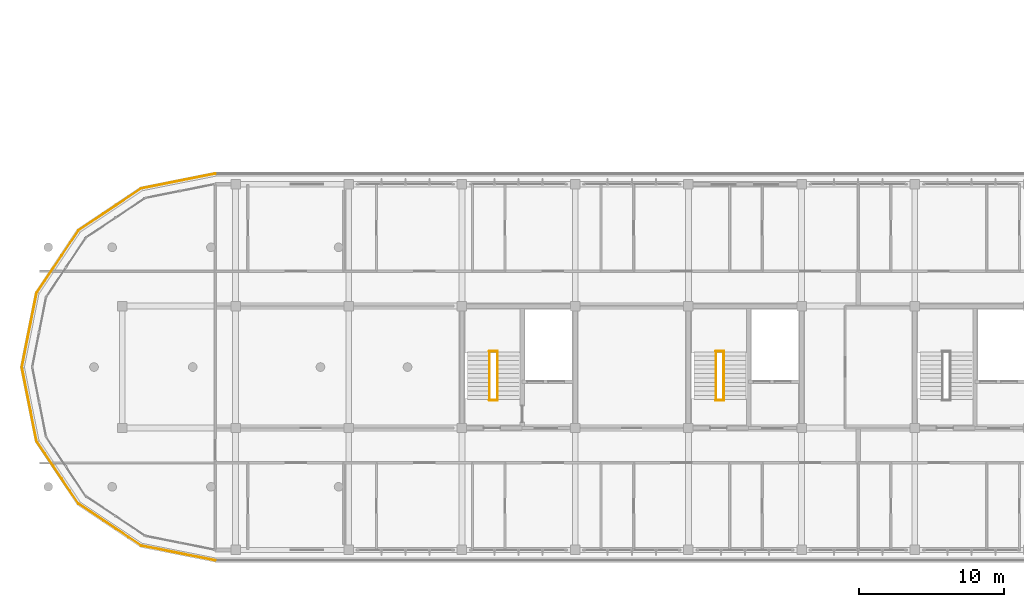
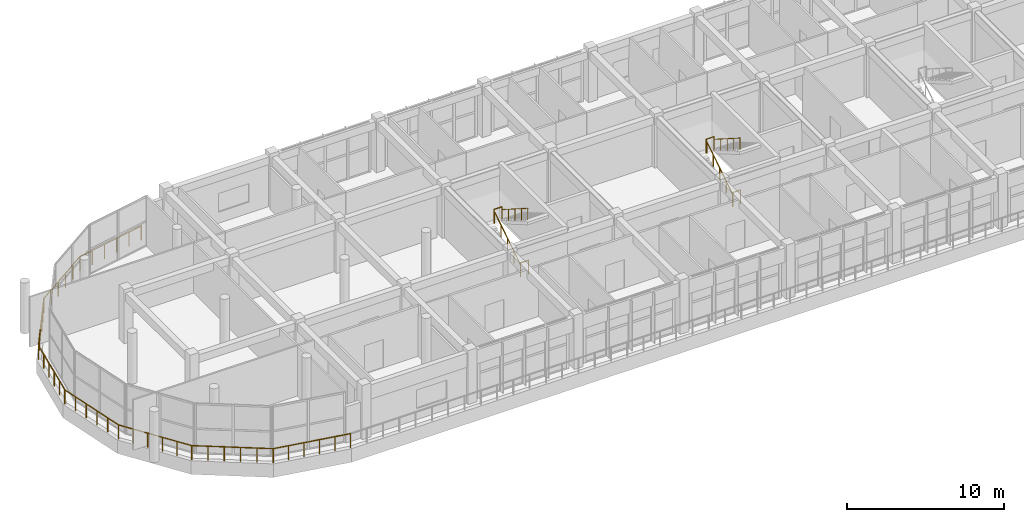
# One storey, part 53 of 57: 16 railings.
"""IFC4 building model written with IfcOpenShell, lengths in metres."""

import ifcopenshell
import ifcopenshell.guid

model = None  # the IFC model being written
_history = None  # IfcOwnerHistory: only IFC2X3 demands one
_inside = {}  # id of a spatial element -> (the spatial element, [elements in it])
_under = {}  # id of a project, library or spatial element -> (it, [spatial elements below it])
_declared = {}  # id of a project -> (the project, [libraries it declares])
_typed = {}  # id of a type object -> (the type object, [elements of that type])
_made_of = {}  # id of a material, layer set ... -> (it, [elements and type objects made of it])


def new_model(schema):
    """Start an empty IFC model of exactly this schema.

    Asked for "IFC4X3", IfcOpenShell would pick the latest addendum, in which some entities
    have other attributes; the version numbers below select the first issue.
    IFC2X3 requires an IfcOwnerHistory on every rooted entity: one is made here for all.
    """
    global model, _history
    if schema == "IFC4X3":
        model = ifcopenshell.file(schema_version=(4, 3, 0, 0))
    else:
        model = ifcopenshell.file(schema=schema)
    _inside.clear()
    _under.clear()
    _declared.clear()
    _typed.clear()
    _made_of.clear()
    _history = None
    if model.schema == "IFC2X3":
        org = make("IfcOrganization", Name="unknown")
        user = make(
            "IfcPersonAndOrganization",
            ThePerson=make("IfcPerson", FamilyName="unknown"),
            TheOrganization=org,
        )
        app = make(
            "IfcApplication",
            ApplicationDeveloper=org,
            Version="unknown",
            ApplicationFullName="unknown",
            ApplicationIdentifier="unknown",
        )
        _history = make(
            "IfcOwnerHistory",
            OwningUser=user,
            OwningApplication=app,
            ChangeAction="ADDED",
            CreationDate=0,
        )
    return model


def make(cls, **values):
    """One entity of the class cls with the attributes given. An attribute that is None is left unset."""
    return model.create_entity(
        cls, **{name: value for name, value in values.items() if value is not None}
    )


def rooted(cls, **values):
    """An entity with a GlobalId (a new one), such as an element, a storey or a relation."""
    return make(cls, GlobalId=ifcopenshell.guid.new(), OwnerHistory=_history, **values)


def si_unit(unit_type, name, prefix=None):
    """IfcSIUnit, for example si_unit("LENGTHUNIT", "METRE", prefix="MILLI")."""
    return make("IfcSIUnit", UnitType=unit_type, Prefix=prefix, Name=name)


def assignment(units):
    """IfcUnitAssignment: the units of a project."""
    return None if units is None else make("IfcUnitAssignment", Units=units)


def point(xyz):
    """IfcCartesianPoint."""
    return None if xyz is None else make("IfcCartesianPoint", Coordinates=xyz)


def direction(xyz):
    """IfcDirection."""
    return None if xyz is None else make("IfcDirection", DirectionRatios=xyz)


def frame(location, z_axis=None, x_axis=None):
    """IfcAxis2Placement3D, a coordinate frame: its origin and axes. An axis left out is left unset."""
    return make(
        "IfcAxis2Placement3D",
        Location=point(location),
        Axis=direction(z_axis),
        RefDirection=direction(x_axis),
    )


def frame_2d(location, x_axis=None):
    """IfcAxis2Placement2D, a coordinate frame in the plane: its origin and x axis."""
    return make(
        "IfcAxis2Placement2D", Location=point(location), RefDirection=direction(x_axis)
    )


def origin():
    """The frame at (0, 0, 0) with its axes left unset."""
    return frame((0.0, 0.0, 0.0))


def origin_2d():
    """The frame at (0, 0) in the plane with its x axis left unset."""
    return frame_2d((0.0, 0.0))


def place(relative_to, where):
    """IfcLocalPlacement: puts the frame where relative to a parent placement (None: the world)."""
    return make(
        "IfcLocalPlacement", PlacementRelTo=relative_to, RelativePlacement=where
    )


def context(
    kind, dimensions, precision=None, world=None, true_north=None, identifier=None
):
    """IfcGeometricRepresentationContext, for example the 3D "Model" context."""
    return make(
        "IfcGeometricRepresentationContext",
        ContextIdentifier=identifier,
        ContextType=kind,
        CoordinateSpaceDimension=dimensions,
        Precision=precision,
        WorldCoordinateSystem=world,
        TrueNorth=true_north,
    )


def subcontext(parent, identifier, kind, view, scale=None):
    """IfcGeometricRepresentationSubContext, for example "Body" below "Model"."""
    return make(
        "IfcGeometricRepresentationSubContext",
        ContextIdentifier=identifier,
        ContextType=kind,
        ParentContext=parent,
        TargetScale=scale,
        TargetView=view,
    )


def project(units=None, contexts=None):
    """IfcProject with its units and contexts."""
    return rooted(
        "IfcProject",
        Name="project",
        RepresentationContexts=contexts,
        UnitsInContext=assignment(units),
    )


def spatial(cls, under=None, at=None, **own):
    """A site, building, storey or space (cls), placed at a placement, below another one or the project."""
    s = rooted(cls, ObjectPlacement=at, **own)
    if under is not None:
        _under.setdefault(under.id(), (under, []))[1].append(s)
    return s


def profile(cls, at=None, kind="AREA", **sizes):
    """A parametric profile (cls). Its sizes go by their IFC names, for example OverallWidth=200.0."""
    return make(cls, ProfileType=kind, Position=at, **sizes)


def circle(**sizes):
    """IfcCircleProfileDef."""
    return profile("IfcCircleProfileDef", **sizes)


def hollow_circle(**sizes):
    """IfcCircleHollowProfileDef."""
    return profile("IfcCircleHollowProfileDef", **sizes)


def extrude(swept, where, along, depth):
    """IfcExtrudedAreaSolid: the profile swept, set in the frame where, extruded along a direction by depth."""
    return make(
        "IfcExtrudedAreaSolid",
        SweptArea=swept,
        Position=where,
        ExtrudedDirection=direction(along),
        Depth=depth,
    )


def shape(context_of_items, identifier, shape_type, items):
    """IfcShapeRepresentation: the items that make up one representation, for example the "Body"."""
    return make(
        "IfcShapeRepresentation",
        ContextOfItems=context_of_items,
        RepresentationIdentifier=identifier,
        RepresentationType=shape_type,
        Items=items,
    )


def material(Name=None, Category=None):
    """IfcMaterial."""
    return make("IfcMaterial", Name=Name, Category=Category)


def material_profile(
    of_material, cross_section, Name=None, Category=None, Priority=None
):
    """IfcMaterialProfile: a cross section and its material."""
    return make(
        "IfcMaterialProfile",
        Name=Name,
        Material=of_material,
        Profile=cross_section,
        Priority=Priority,
        Category=Category,
    )


def profile_set(profiles, Name=None, composite=None):
    """IfcMaterialProfileSet."""
    return make(
        "IfcMaterialProfileSet",
        Name=Name,
        MaterialProfiles=profiles,
        CompositeProfile=composite,
    )


def made_of(thing, what):
    """Note that an element or type object is made of a material, layer set ...; save() writes the relation."""
    if what is not None:
        _made_of.setdefault(what.id(), (what, []))[1].append(thing)
    return thing


def type_object(cls, material=None, **own):
    """A type object (cls), such as IfcWallType, which elements share."""
    return made_of(rooted(cls, **own), material)


def element(
    cls,
    number,
    at=None,
    inside=None,
    cuts=None,
    type_object=None,
    material=None,
    context=None,
    identifier="Body",
    shape_type=None,
    held_by="IfcProductDefinitionShape",
    body=None,
    shapes=None,
    **own,
):
    """One element of the class cls, such as IfcWall. Its Tag is "e" and its number.

    at: its placement. inside: the storey or other place that contains it. cuts: it is an
    opening in that element (IfcRelVoidsElement). A single representation is given by context,
    identifier, shape_type and body (its items); several are given by shapes. held_by: the class
    of the entity that holds the representations. save() writes the other relations.
    """
    e = rooted(cls, Tag="e%d" % number, ObjectPlacement=at, **own)
    if body is not None:
        shapes = [shape(context, identifier, shape_type, body)]
    if shapes is not None:
        e.Representation = make(held_by, Representations=shapes)
    if inside is not None:
        _inside.setdefault(inside.id(), (inside, []))[1].append(e)
    if cuts is not None:
        rooted(
            "IfcRelVoidsElement", RelatingBuildingElement=cuts, RelatedOpeningElement=e
        )
    if type_object is not None:
        _typed.setdefault(type_object.id(), (type_object, []))[1].append(e)
    return made_of(e, material)


def aggregate(whole, parts):
    """IfcRelAggregates: a whole, such as a stair, and the parts it consists of."""
    return rooted("IfcRelAggregates", RelatingObject=whole, RelatedObjects=parts)


def save(model, path):
    """Write the relations noted so far, then the file.

    IfcRelAggregates (storeys below a building ...), IfcRelContainedInSpatialStructure (elements
    in a storey), IfcRelDefinesByType, IfcRelAssociatesMaterial and IfcRelDeclares: one each for
    every whole, place, type object, material and project.
    """
    for whole, parts in _under.values():
        aggregate(whole, parts)
    for where, things in _inside.values():
        rooted(
            "IfcRelContainedInSpatialStructure",
            RelatedElements=things,
            RelatingStructure=where,
        )
    for kind, things in _typed.values():
        rooted("IfcRelDefinesByType", RelatedObjects=things, RelatingType=kind)
    for what, things in _made_of.values():
        rooted("IfcRelAssociatesMaterial", RelatedObjects=things, RelatingMaterial=what)
    for by, libraries in _declared.values():
        rooted("IfcRelDeclares", RelatingContext=by, RelatedDefinitions=libraries)
    model.write(path)


model = new_model("IFC4")

# Units and contexts
model_context = context("Model", 3, precision=1e-05, world=origin(), true_north=direction((0.0, 1.0)))
body_context = subcontext(model_context, "Body", "Model", "MODEL_VIEW")
ifc_project = project(units=[si_unit("LENGTHUNIT", "METRE"), si_unit("AREAUNIT", "SQUARE_METRE"), si_unit("VOLUMEUNIT", "CUBIC_METRE"), si_unit("PLANEANGLEUNIT", "RADIAN"), si_unit("MASSUNIT", "GRAM", prefix="KILO")], contexts=[model_context])

# Site, building, storey
site_placement = place(None, origin())
site = spatial("IfcSite", under=ifc_project, at=site_placement, CompositionType="ELEMENT")
building_placement = place(site_placement, origin())
building = spatial("IfcBuilding", under=site, at=building_placement, Name="Zizhar Promenade General Hospital", CompositionType="ELEMENT")
storey_placement = place(building_placement, frame((0.0, 0.0, 22.199951171875)))
storey = spatial("IfcBuildingStorey", under=building, at=storey_placement, Name="L05", CompositionType="ELEMENT", Elevation=22.199951171875)

# Railings
ifc_material_1 = material(Name="Anodised aluminium 6063-T6", Category="aluminium")
ifc_material_profile_1 = material_profile(ifc_material_1, hollow_circle(Radius=0.06982421875, WallThickness=0.00634765625, at=origin_2d()))
ifc_profile_set_1 = profile_set([ifc_material_profile_1], Name="Anodised aluminium 6063-T6")
railing_type_1 = type_object("IfcRailingType", Name="RL-GUARD-TERR-1100", PredefinedType="GUARDRAIL", material=ifc_profile_set_1)
railing_1_placement = place(storey_placement, frame((29.800048828125, 25.919921875, 0.0)))
element("IfcRailing", 1, at=railing_1_placement, inside=storey, type_object=railing_type_1, Name="Perimeter Safety Guardrail L05-10", PredefinedType="GUARDRAIL", context=body_context, shape_type="SweptSolid", body=[
    extrude(circle(Radius=0.02392578125, at=origin_2d()), frame((0.0, 0.0, 1.09619140625), z_axis=(-0.980786101187, -0.195086195614, 0.0), x_axis=(0.195086195614, -0.980786101187, 0.0)), (0.0, 0.0, 1.0), 5.197265625),
    extrude(circle(Radius=0.02099609375, at=origin_2d()), origin(), (0.0, 0.0, 1.0), 1.072021484375),
    extrude(circle(Radius=0.02099609375, at=origin_2d()), frame((-1.01953125, -0.202880859375, 0.0)), (0.0, 0.0, 1.0), 1.072021484375),
    extrude(circle(Radius=0.02099609375, at=origin_2d()), frame((-2.0390625, -0.405517578125, 0.0)), (0.0, 0.0, 1.0), 1.072021484375),
    extrude(circle(Radius=0.02099609375, at=origin_2d()), frame((-3.058349609375, -0.6083984375, 0.0)), (0.0, 0.0, 1.0), 1.072021484375),
    extrude(circle(Radius=0.02099609375, at=origin_2d()), frame((-4.077880859375, -0.81103515625, 0.0)), (0.0, 0.0, 1.0), 1.072021484375),
    extrude(circle(Radius=0.02099609375, at=origin_2d()), frame((-5.097412109375, -1.013916015625, 0.0)), (0.0, 0.0, 1.0), 1.072021484375),
])
railing_2_placement = place(storey_placement, frame((24.70263671875, 24.906005859375, 0.0)))
element("IfcRailing", 2, at=railing_2_placement, inside=storey, type_object=railing_type_1, Name="Perimeter Safety Guardrail L05-11", PredefinedType="GUARDRAIL", context=body_context, shape_type="SweptSolid", body=[
    extrude(circle(Radius=0.02392578125, at=origin_2d()), frame((0.0, 0.0, 1.09619140625), z_axis=(-0.831486145253, -0.555545488913, 0.0), x_axis=(0.555545488913, -0.831486145253, 0.0)), (0.0, 0.0, 1.0), 5.197021484375),
    extrude(circle(Radius=0.02099609375, at=origin_2d()), origin(), (0.0, 0.0, 1.0), 1.072021484375),
    extrude(circle(Radius=0.02099609375, at=origin_2d()), frame((-0.8642578125, -0.577392578125, 0.0)), (0.0, 0.0, 1.0), 1.072021484375),
    extrude(circle(Radius=0.02099609375, at=origin_2d()), frame((-1.728515625, -1.15478515625, 0.0)), (0.0, 0.0, 1.0), 1.072021484375),
    extrude(circle(Radius=0.02099609375, at=origin_2d()), frame((-2.5927734375, -1.732421875, 0.0)), (0.0, 0.0, 1.0), 1.072021484375),
    extrude(circle(Radius=0.02099609375, at=origin_2d()), frame((-3.45703125, -2.309814453125, 0.0)), (0.0, 0.0, 1.0), 1.072021484375),
    extrude(circle(Radius=0.02099609375, at=origin_2d()), frame((-4.3212890625, -2.88720703125, 0.0)), (0.0, 0.0, 1.0), 1.072021484375),
])
railing_3_placement = place(storey_placement, frame((20.38134765625, 22.018798828125, 0.0)))
element("IfcRailing", 3, at=railing_3_placement, inside=storey, type_object=railing_type_1, Name="Perimeter Safety Guardrail L05-12", PredefinedType="GUARDRAIL", context=body_context, shape_type="SweptSolid", body=[
    extrude(circle(Radius=0.02392578125, at=origin_2d()), frame((0.0, 0.0, 1.09619140625), z_axis=(-0.555556266519, -0.83147894425, 0.0), x_axis=(0.83147894425, -0.555556266519, 0.0)), (0.0, 0.0, 1.0), 5.197509765625),
    extrude(circle(Radius=0.02099609375, at=origin_2d()), origin(), (0.0, 0.0, 1.0), 1.072021484375),
    extrude(circle(Radius=0.02099609375, at=origin_2d()), frame((-0.577392578125, -0.8642578125, 0.0)), (0.0, 0.0, 1.0), 1.072021484375),
    extrude(circle(Radius=0.02099609375, at=origin_2d()), frame((-1.155029296875, -1.728515625, 0.0)), (0.0, 0.0, 1.0), 1.072021484375),
    extrude(circle(Radius=0.02099609375, at=origin_2d()), frame((-1.732421875, -2.593017578125, 0.0)), (0.0, 0.0, 1.0), 1.072021484375),
    extrude(circle(Radius=0.02099609375, at=origin_2d()), frame((-2.31005859375, -3.457275390625, 0.0)), (0.0, 0.0, 1.0), 1.072021484375),
    extrude(circle(Radius=0.02099609375, at=origin_2d()), frame((-2.887451171875, -4.321533203125, 0.0)), (0.0, 0.0, 1.0), 1.072021484375),
])
railing_4_placement = place(storey_placement, frame((17.493896484375, 17.697265625, 0.0)))
element("IfcRailing", 4, at=railing_4_placement, inside=storey, type_object=railing_type_1, Name="Perimeter Safety Guardrail L05-13", PredefinedType="GUARDRAIL", context=body_context, shape_type="SweptSolid", body=[
    extrude(circle(Radius=0.02392578125, at=origin_2d()), frame((0.0, 0.0, 1.09619140625), z_axis=(-0.195095184069, -0.980784313268, 0.0), x_axis=(0.980784313268, -0.195095184069, 0.0)), (0.0, 0.0, 1.0), 5.197021484375),
    extrude(circle(Radius=0.02099609375, at=origin_2d()), origin(), (0.0, 0.0, 1.0), 1.072021484375),
    extrude(circle(Radius=0.02099609375, at=origin_2d()), frame((-0.202880859375, -1.01953125, 0.0)), (0.0, 0.0, 1.0), 1.072021484375),
    extrude(circle(Radius=0.02099609375, at=origin_2d()), frame((-0.405517578125, -2.038818359375, 0.0)), (0.0, 0.0, 1.0), 1.072021484375),
    extrude(circle(Radius=0.02099609375, at=origin_2d()), frame((-0.6083984375, -3.058349609375, 0.0)), (0.0, 0.0, 1.0), 1.072021484375),
    extrude(circle(Radius=0.02099609375, at=origin_2d()), frame((-0.81103515625, -4.07763671875, 0.0)), (0.0, 0.0, 1.0), 1.072021484375),
    extrude(circle(Radius=0.02099609375, at=origin_2d()), frame((-1.013916015625, -5.09716796875, 0.0)), (0.0, 0.0, 1.0), 1.072021484375),
])
railing_5_placement = place(storey_placement, frame((16.47998046875, 12.60009765625, 0.0)))
element("IfcRailing", 5, at=railing_5_placement, inside=storey, type_object=railing_type_1, Name="Perimeter Safety Guardrail L05-14", PredefinedType="GUARDRAIL", context=body_context, shape_type="SweptSolid", body=[
    extrude(circle(Radius=0.02392578125, at=origin_2d()), frame((0.0, 0.0, 1.09619140625), z_axis=(0.195086195614, -0.980786101187, 0.0), x_axis=(0.980786101187, 0.195086195614, 0.0)), (0.0, 0.0, 1.0), 5.197265625),
    extrude(circle(Radius=0.02099609375, at=origin_2d()), origin(), (0.0, 0.0, 1.0), 1.072021484375),
    extrude(circle(Radius=0.02099609375, at=origin_2d()), frame((0.202880859375, -1.01953125, 0.0)), (0.0, 0.0, 1.0), 1.072021484375),
    extrude(circle(Radius=0.02099609375, at=origin_2d()), frame((0.405517578125, -2.0390625, 0.0)), (0.0, 0.0, 1.0), 1.072021484375),
    extrude(circle(Radius=0.02099609375, at=origin_2d()), frame((0.6083984375, -3.058349609375, 0.0)), (0.0, 0.0, 1.0), 1.072021484375),
    extrude(circle(Radius=0.02099609375, at=origin_2d()), frame((0.81103515625, -4.077880859375, 0.0)), (0.0, 0.0, 1.0), 1.072021484375),
    extrude(circle(Radius=0.02099609375, at=origin_2d()), frame((1.013916015625, -5.097412109375, 0.0)), (0.0, 0.0, 1.0), 1.072021484375),
])
railing_6_placement = place(storey_placement, frame((17.493896484375, 7.502685546875, 0.0)))
element("IfcRailing", 6, at=railing_6_placement, inside=storey, type_object=railing_type_1, Name="Perimeter Safety Guardrail L05-15", PredefinedType="GUARDRAIL", context=body_context, shape_type="SweptSolid", body=[
    extrude(circle(Radius=0.02392578125, at=origin_2d()), frame((0.0, 0.0, 1.09619140625), z_axis=(0.555577965829, -0.831464445352, 0.0), x_axis=(0.831464445352, 0.555577965829, 0.0)), (0.0, 0.0, 1.0), 5.197265625),
    extrude(circle(Radius=0.02099609375, at=origin_2d()), origin(), (0.0, 0.0, 1.0), 1.072021484375),
    extrude(circle(Radius=0.02099609375, at=origin_2d()), frame((0.577392578125, -0.8642578125, 0.0)), (0.0, 0.0, 1.0), 1.072021484375),
    extrude(circle(Radius=0.02099609375, at=origin_2d()), frame((1.155029296875, -1.728515625, 0.0)), (0.0, 0.0, 1.0), 1.072021484375),
    extrude(circle(Radius=0.02099609375, at=origin_2d()), frame((1.732421875, -2.5927734375, 0.0)), (0.0, 0.0, 1.0), 1.072021484375),
    extrude(circle(Radius=0.02099609375, at=origin_2d()), frame((2.31005859375, -3.45703125, 0.0)), (0.0, 0.0, 1.0), 1.072021484375),
    extrude(circle(Radius=0.02099609375, at=origin_2d()), frame((2.887451171875, -4.3212890625, 0.0)), (0.0, 0.0, 1.0), 1.072021484375),
])
railing_7_placement = place(storey_placement, frame((20.38134765625, 3.181396484375, 0.0)))
element("IfcRailing", 7, at=railing_7_placement, inside=storey, type_object=railing_type_1, Name="Perimeter Safety Guardrail L05-16", PredefinedType="GUARDRAIL", context=body_context, shape_type="SweptSolid", body=[
    extrude(circle(Radius=0.02392578125, at=origin_2d()), frame((0.0, 0.0, 1.09619140625), z_axis=(0.831464445352, -0.555577965829, 0.0), x_axis=(0.555577965829, 0.831464445352, 0.0)), (0.0, 0.0, 1.0), 5.197265625),
    extrude(circle(Radius=0.02099609375, at=origin_2d()), origin(), (0.0, 0.0, 1.0), 1.072021484375),
    extrude(circle(Radius=0.02099609375, at=origin_2d()), frame((0.8642578125, -0.577392578125, 0.0)), (0.0, 0.0, 1.0), 1.072021484375),
    extrude(circle(Radius=0.02099609375, at=origin_2d()), frame((1.728515625, -1.155029296875, 0.0)), (0.0, 0.0, 1.0), 1.072021484375),
    extrude(circle(Radius=0.02099609375, at=origin_2d()), frame((2.5927734375, -1.732421875, 0.0)), (0.0, 0.0, 1.0), 1.072021484375),
    extrude(circle(Radius=0.02099609375, at=origin_2d()), frame((3.45703125, -2.31005859375, 0.0)), (0.0, 0.0, 1.0), 1.072021484375),
    extrude(circle(Radius=0.02099609375, at=origin_2d()), frame((4.3212890625, -2.887451171875, 0.0)), (0.0, 0.0, 1.0), 1.072021484375),
])
railing_8_placement = place(storey_placement, frame((24.70263671875, 0.2939453125, 0.0)))
element("IfcRailing", 8, at=railing_8_placement, inside=storey, type_object=railing_type_1, Name="Perimeter Safety Guardrail L05-17", PredefinedType="GUARDRAIL", context=body_context, shape_type="SweptSolid", body=[
    extrude(circle(Radius=0.02392578125, at=origin_2d()), frame((0.0, 0.0, 1.09619140625), z_axis=(0.980786101187, -0.195086195614, 0.0), x_axis=(0.195086195614, 0.980786101187, 0.0)), (0.0, 0.0, 1.0), 5.197265625),
    extrude(circle(Radius=0.02099609375, at=origin_2d()), origin(), (0.0, 0.0, 1.0), 1.072021484375),
    extrude(circle(Radius=0.02099609375, at=origin_2d()), frame((1.01953125, -0.202880859375, 0.0)), (0.0, 0.0, 1.0), 1.072021484375),
    extrude(circle(Radius=0.02099609375, at=origin_2d()), frame((2.0390625, -0.405517578125, 0.0)), (0.0, 0.0, 1.0), 1.072021484375),
    extrude(circle(Radius=0.02099609375, at=origin_2d()), frame((3.058349609375, -0.6083984375, 0.0)), (0.0, 0.0, 1.0), 1.072021484375),
    extrude(circle(Radius=0.02099609375, at=origin_2d()), frame((4.077880859375, -0.81103515625, 0.0)), (0.0, 0.0, 1.0), 1.072021484375),
    extrude(circle(Radius=0.02099609375, at=origin_2d()), frame((5.097412109375, -1.013916015625, 0.0)), (0.0, 0.0, 1.0), 1.072021484375),
])
ifc_material_2 = material(Name="Anodised aluminium 6063-T6", Category="aluminium")
ifc_material_profile_2 = material_profile(ifc_material_2, hollow_circle(Radius=0.06982421875, WallThickness=0.00634765625, at=origin_2d()))
ifc_profile_set_2 = profile_set([ifc_material_profile_2], Name="Anodised aluminium 6063-T6")
railing_type_2 = type_object("IfcRailingType", Name="RL-HANDRAIL-920", PredefinedType="HANDRAIL", material=ifc_profile_set_2)
railing_9_placement = place(storey_placement, frame((48.699951171875, 10.35009765625, 0.0)))
element("IfcRailing", 9, at=railing_9_placement, inside=storey, type_object=railing_type_2, Name="Stair ST-02 Flight 1 Handrail (L05)", PredefinedType="HANDRAIL", context=body_context, shape_type="SweptSolid", body=[
    extrude(circle(Radius=0.02392578125, at=origin_2d()), frame((0.0, 0.0, 0.89599609375), z_axis=(0.0, 0.843635785416, 0.536915879413), x_axis=(-1.0, 0.0, 0.0)), (0.0, 0.0, 1.0), 3.911376953125),
    extrude(circle(Radius=0.02099609375, at=origin_2d()), origin(), (0.0, 0.0, 1.0), 0.871826171875),
    extrude(circle(Radius=0.02099609375, at=origin_2d()), frame((0.0, 0.824951171875, 0.52490234375)), (0.0, 0.0, 1.0), 0.871826171875),
    extrude(circle(Radius=0.02099609375, at=origin_2d()), frame((0.0, 1.64990234375, 1.050048828125)), (0.0, 0.0, 1.0), 0.871826171875),
    extrude(circle(Radius=0.02099609375, at=origin_2d()), frame((0.0, 2.474853515625, 1.5751953125)), (0.0, 0.0, 1.0), 0.871826171875),
    extrude(circle(Radius=0.02099609375, at=origin_2d()), frame((0.0, 3.2998046875, 2.10009765625)), (0.0, 0.0, 1.0), 0.871826171875),
])
railing_10_placement = place(storey_placement, frame((49.239990234375, 13.64990234375, 2.10009765625)))
element("IfcRailing", 10, at=railing_10_placement, inside=storey, type_object=railing_type_2, Name="Stair ST-02 Flight 2 Handrail (L05)", PredefinedType="HANDRAIL", context=body_context, shape_type="SweptSolid", body=[
    extrude(circle(Radius=0.02392578125, at=origin_2d()), frame((0.0, 0.0, 0.89599609375), z_axis=(0.0, -0.843664057944, 0.536871453268), x_axis=(1.0, 0.0, 0.0)), (0.0, 0.0, 1.0), 3.911376953125),
    extrude(circle(Radius=0.02099609375, at=origin_2d()), origin(), (0.0, 0.0, 1.0), 0.871826171875),
    extrude(circle(Radius=0.02099609375, at=origin_2d()), frame((0.0, -0.824951171875, 0.52490234375)), (0.0, 0.0, 1.0), 0.871826171875),
    extrude(circle(Radius=0.02099609375, at=origin_2d()), frame((0.0, -1.64990234375, 1.0498046875)), (0.0, 0.0, 1.0), 0.871826171875),
    extrude(circle(Radius=0.02099609375, at=origin_2d()), frame((0.0, -2.474853515625, 1.574951171875)), (0.0, 0.0, 1.0), 0.871826171875),
    extrude(circle(Radius=0.02099609375, at=origin_2d()), frame((0.0, -3.2998046875, 2.099853515625)), (0.0, 0.0, 1.0), 0.871826171875),
])
railing_11_placement = place(storey_placement, frame((64.300048828125, 10.35009765625, 0.0)))
element("IfcRailing", 11, at=railing_11_placement, inside=storey, type_object=railing_type_2, Name="Stair ST-03 Flight 1 Handrail (L05)", PredefinedType="HANDRAIL", context=body_context, shape_type="SweptSolid", body=[
    extrude(circle(Radius=0.02392578125, at=origin_2d()), frame((0.0, 0.0, 0.89599609375), z_axis=(0.0, 0.843635785416, 0.536915879413), x_axis=(-1.0, 0.0, 0.0)), (0.0, 0.0, 1.0), 3.911376953125),
    extrude(circle(Radius=0.02099609375, at=origin_2d()), origin(), (0.0, 0.0, 1.0), 0.871826171875),
    extrude(circle(Radius=0.02099609375, at=origin_2d()), frame((0.0, 0.824951171875, 0.52490234375)), (0.0, 0.0, 1.0), 0.871826171875),
    extrude(circle(Radius=0.02099609375, at=origin_2d()), frame((0.0, 1.64990234375, 1.050048828125)), (0.0, 0.0, 1.0), 0.871826171875),
    extrude(circle(Radius=0.02099609375, at=origin_2d()), frame((0.0, 2.474853515625, 1.5751953125)), (0.0, 0.0, 1.0), 0.871826171875),
    extrude(circle(Radius=0.02099609375, at=origin_2d()), frame((0.0, 3.2998046875, 2.10009765625)), (0.0, 0.0, 1.0), 0.871826171875),
])
railing_12_placement = place(storey_placement, frame((64.840087890625, 13.64990234375, 2.10009765625)))
element("IfcRailing", 12, at=railing_12_placement, inside=storey, type_object=railing_type_2, Name="Stair ST-03 Flight 2 Handrail (L05)", PredefinedType="HANDRAIL", context=body_context, shape_type="SweptSolid", body=[
    extrude(circle(Radius=0.02392578125, at=origin_2d()), frame((0.0, 0.0, 0.89599609375), z_axis=(0.0, -0.843664057944, 0.536871453268), x_axis=(1.0, 0.0, 0.0)), (0.0, 0.0, 1.0), 3.911376953125),
    extrude(circle(Radius=0.02099609375, at=origin_2d()), origin(), (0.0, 0.0, 1.0), 0.871826171875),
    extrude(circle(Radius=0.02099609375, at=origin_2d()), frame((0.0, -0.824951171875, 0.52490234375)), (0.0, 0.0, 1.0), 0.871826171875),
    extrude(circle(Radius=0.02099609375, at=origin_2d()), frame((0.0, -1.64990234375, 1.0498046875)), (0.0, 0.0, 1.0), 0.871826171875),
    extrude(circle(Radius=0.02099609375, at=origin_2d()), frame((0.0, -2.474853515625, 1.574951171875)), (0.0, 0.0, 1.0), 0.871826171875),
    extrude(circle(Radius=0.02099609375, at=origin_2d()), frame((0.0, -3.2998046875, 2.099853515625)), (0.0, 0.0, 1.0), 0.871826171875),
])
ifc_material_3 = material(Name="Steel S355", Category="steel")
ifc_material_profile_3 = material_profile(ifc_material_3, hollow_circle(Radius=0.06982421875, WallThickness=0.00634765625, at=origin_2d()))
ifc_profile_set_3 = profile_set([ifc_material_profile_3], Name="Steel S355")
railing_type_3 = type_object("IfcRailingType", Name="RL-STAIR-GUARD-1100", PredefinedType="GUARDRAIL", material=ifc_profile_set_3)
for number, where, name in (
    (13, (48.679931640625, 13.68994140625, 2.10009765625), "Stair ST-02 Half-Landing Guard (L05)"),
    (14, (48.679931640625, 10.31005859375, 0.0), "Stair ST-02 Landing Well Guard (L05)"),
    (15, (64.280029296875, 13.68994140625, 2.10009765625), "Stair ST-03 Half-Landing Guard (L05)"),
    (16, (64.280029296875, 10.31005859375, 0.0), "Stair ST-03 Landing Well Guard (L05)"),
):
    element("IfcRailing", number, at=place(storey_placement, frame(where)), inside=storey, type_object=railing_type_3, Name=name, PredefinedType="GUARDRAIL", context=body_context, shape_type="SweptSolid", body=[
        extrude(circle(Radius=0.02392578125, at=origin_2d()), frame((0.0, 0.0, 1.076171875), z_axis=(1.0, 0.0, 0.0), x_axis=(0.0, 1.0, 0.0)), (0.0, 0.0, 1.0), 0.580078125),
        extrude(circle(Radius=0.02099609375, at=origin_2d()), origin(), (0.0, 0.0, 1.0), 1.052001953125),
        extrude(circle(Radius=0.02099609375, at=origin_2d()), frame((0.580078125, 0.0, 0.0)), (0.0, 0.0, 1.0), 1.052001953125),
    ])

save(model, "model.ifc")
